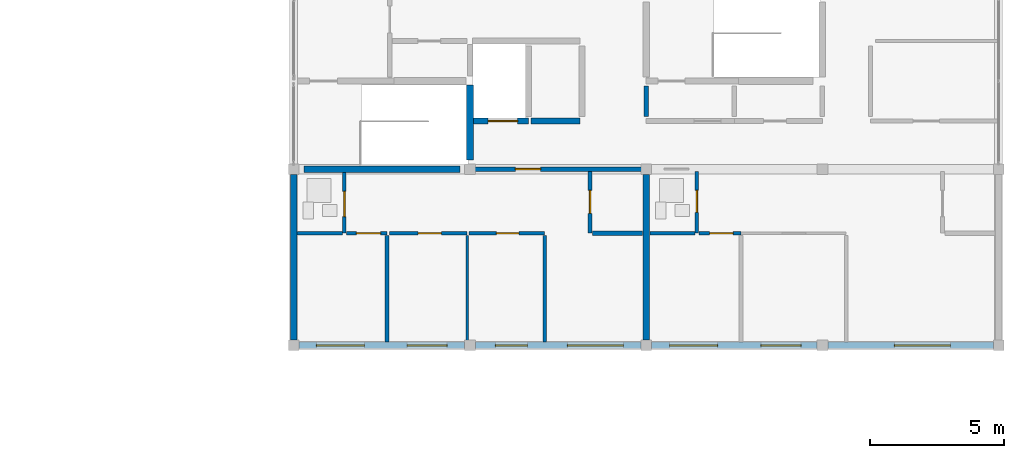
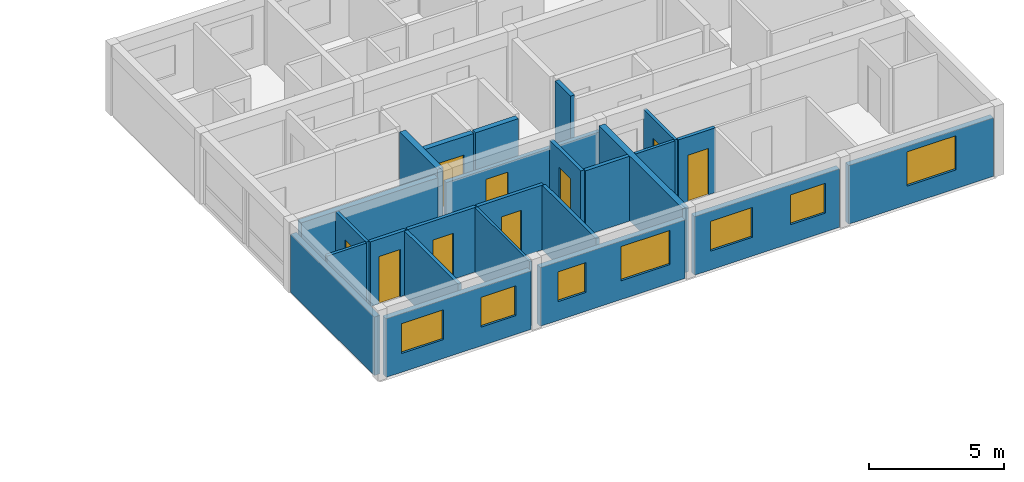
# One storey, part 16 of 23: 25 walls, 9 doors, 7 windows, 16 openings.
"""IFC4 building model written with IfcOpenShell, lengths in metres."""

from ifc_helpers import new_model, si_unit, direction, frame, frame_2d, origin, place, context, subcontext, project, spatial, rectangle, extrude, material, layer, layer_set, type_object, element, fill, save


model = new_model("IFC4")

# Units and contexts
model_context = context("Model", 3, precision=1e-05, world=origin(), true_north=direction((0.0, 1.0)))
body_context = subcontext(model_context, "Body", "Model", "MODEL_VIEW")
ifc_project = project(units=[si_unit("LENGTHUNIT", "METRE"), si_unit("AREAUNIT", "SQUARE_METRE"), si_unit("VOLUMEUNIT", "CUBIC_METRE"), si_unit("PLANEANGLEUNIT", "RADIAN"), si_unit("MASSUNIT", "GRAM", prefix="KILO")], contexts=[model_context])

# Site, building, storey
site_placement = place(None, origin())
site = spatial("IfcSite", under=ifc_project, at=site_placement, CompositionType="ELEMENT")
building_placement = place(site_placement, origin())
building = spatial("IfcBuilding", under=site, at=building_placement, Name="Kernevlak Ridge Housing Community", CompositionType="ELEMENT")
storey_placement = place(building_placement, frame((0.0, 0.0, 46.800048828125)))
storey = spatial("IfcBuildingStorey", under=building, at=storey_placement, Name="L14", CompositionType="ELEMENT", Elevation=46.800048828125)

# Wall, openings, windows
ifc_material_1 = material(Name="Concrete block masonry M10", Category="masonry")
ifc_layer_1 = layer(ifc_material_1, 0.239990234375, Name="Concrete block masonry M10")
ifc_layer_set_1 = layer_set([ifc_layer_1], Name="Concrete block masonry M10")
wall_type_1 = type_object("IfcWallType", Name="EW-06", PredefinedType="STANDARD", material=ifc_layer_set_1)
wall_1_placement = place(storey_placement, frame((119.60009765625, 82.60009765625, 0.0), z_axis=(0.0, 0.0, 1.0), x_axis=(1.0, 0.0, 0.0)))
wall_1 = element("IfcWall", 1, at=wall_1_placement, inside=storey, type_object=wall_type_1, Name="Exterior wall EW-06 L14 514", PredefinedType="STANDARD", context=body_context, shape_type="SweptSolid", body=[
    extrude(rectangle(XDim=6.199951171875, YDim=0.239990234375, at=frame_2d((3.10009765625, 0.0))), origin(), (0.0, 0.0, 1.0), 2.64990234375),
])
opening_1_placement = place(wall_1_placement, frame((0.64990234375, 0.0, 0.85009765625)))
opening_1 = element("IfcOpeningElement", 2, at=opening_1_placement, cuts=wall_1, Name="Opening WT-03", PredefinedType="OPENING", context=body_context, shape_type="SweptSolid", body=[
    extrude(rectangle(XDim=1.800048828125, YDim=1.35009765625, at=frame_2d((0.89990234375, 0.675048828125))), frame((0.0, 0.1298828125, 0.0), z_axis=(0.0, -1.0, 0.0), x_axis=(1.0, 0.0, 0.0)), (0.0, 0.0, 1.0), 0.260009765625),
])
opening_2_placement = place(wall_1_placement, frame((4.050048828125, 0.0, 0.85009765625)))
opening_2 = element("IfcOpeningElement", 3, at=opening_2_placement, cuts=wall_1, Name="Opening WT-02", PredefinedType="OPENING", context=body_context, shape_type="SweptSolid", body=[
    extrude(rectangle(XDim=1.5, YDim=1.35009765625, at=frame_2d((0.75, 0.675048828125))), frame((0.0, 0.1298828125, 0.0), z_axis=(0.0, -1.0, 0.0), x_axis=(1.0, 0.0, 0.0)), (0.0, 0.0, 1.0), 0.260009765625),
])
ifc_material_2 = material(Name="Aluminium EN AW-6060 anodised and laminated glass", Category="aluminium")
window_type_1 = type_object("IfcWindowType", Name="WT-02", PartitioningType="SINGLE_PANEL", PredefinedType="WINDOW", material=ifc_material_2)
window_1_placement = place(opening_2_placement, origin())
window_1 = element("IfcWindow", 4, at=window_1_placement, inside=storey, type_object=window_type_1, Name="Window WT-02 L14 402", OverallHeight=1.35009765625, OverallWidth=1.5, PartitioningType="SINGLE_PANEL", PredefinedType="WINDOW", context=body_context, shape_type="SweptSolid", body=[
    extrude(rectangle(XDim=1.5, YDim=1.35009765625, at=frame_2d((0.75, 0.675048828125))), frame((0.0, 0.030029296875, 0.0), z_axis=(0.0, -1.0, 0.0), x_axis=(1.0, 0.0, 0.0)), (0.0, 0.0, 1.0), 0.06005859375),
])
fill(opening_2, window_1)
window_type_2 = type_object("IfcWindowType", Name="WT-03", PartitioningType="SINGLE_PANEL", PredefinedType="WINDOW", material=ifc_material_2)
window_2_placement = place(opening_1_placement, origin())
window_2 = element("IfcWindow", 5, at=window_2_placement, inside=storey, type_object=window_type_2, Name="Window WT-03 L14 401", OverallHeight=1.35009765625, OverallWidth=1.800048828125, PartitioningType="SINGLE_PANEL", PredefinedType="WINDOW", context=body_context, shape_type="SweptSolid", body=[
    extrude(rectangle(XDim=1.800048828125, YDim=1.35009765625, at=frame_2d((0.89990234375, 0.675048828125))), frame((0.0, 0.030029296875, 0.0), z_axis=(0.0, -1.0, 0.0), x_axis=(1.0, 0.0, 0.0)), (0.0, 0.0, 1.0), 0.06005859375),
])
fill(opening_1, window_2)

wall_2_placement = place(storey_placement, frame((126.199951171875, 82.60009765625, 0.0), z_axis=(0.0, 0.0, 1.0), x_axis=(1.0, 0.0, 0.0)))
wall_2 = element("IfcWall", 6, at=wall_2_placement, inside=storey, type_object=wall_type_1, Name="Exterior wall EW-06 L14 515", PredefinedType="STANDARD", context=body_context, shape_type="SweptSolid", body=[
    extrude(rectangle(XDim=6.199951171875, YDim=0.239990234375, at=frame_2d((3.10009765625, 0.0))), origin(), (0.0, 0.0, 1.0), 2.64990234375),
])
opening_3_placement = place(wall_2_placement, frame((0.75, 0.0, 0.85009765625)))
opening_3 = element("IfcOpeningElement", 7, at=opening_3_placement, cuts=wall_2, Name="Opening WT-01", PredefinedType="OPENING", context=body_context, shape_type="SweptSolid", body=[
    extrude(rectangle(XDim=1.199951171875, YDim=1.35009765625, at=frame_2d((0.60009765625, 0.675048828125))), frame((0.0, 0.1298828125, 0.0), z_axis=(0.0, -1.0, 0.0), x_axis=(1.0, 0.0, 0.0)), (0.0, 0.0, 1.0), 0.260009765625),
])
opening_4_placement = place(wall_2_placement, frame((3.449951171875, 0.0, 0.85009765625)))
opening_4 = element("IfcOpeningElement", 8, at=opening_4_placement, cuts=wall_2, Name="Opening WT-05", PredefinedType="OPENING", context=body_context, shape_type="SweptSolid", body=[
    extrude(rectangle(XDim=2.10009765625, YDim=1.550048828125, at=frame_2d((1.050048828125, 0.77490234375))), frame((0.0, 0.1298828125, 0.0), z_axis=(0.0, -1.0, 0.0), x_axis=(1.0, 0.0, 0.0)), (0.0, 0.0, 1.0), 0.260009765625),
])
window_type_3 = type_object("IfcWindowType", Name="WT-01", PartitioningType="SINGLE_PANEL", PredefinedType="WINDOW", material=ifc_material_2)
window_3_placement = place(opening_3_placement, origin())
window_3 = element("IfcWindow", 9, at=window_3_placement, inside=storey, type_object=window_type_3, Name="Window WT-01 L14 403", OverallHeight=1.35009765625, OverallWidth=1.199951171875, PartitioningType="SINGLE_PANEL", PredefinedType="WINDOW", context=body_context, shape_type="SweptSolid", body=[
    extrude(rectangle(XDim=1.199951171875, YDim=1.35009765625, at=frame_2d((0.60009765625, 0.675048828125))), frame((0.0, 0.030029296875, 0.0), z_axis=(0.0, -1.0, 0.0), x_axis=(1.0, 0.0, 0.0)), (0.0, 0.0, 1.0), 0.06005859375),
])
fill(opening_3, window_3)
window_type_4 = type_object("IfcWindowType", Name="WT-05", PartitioningType="SINGLE_PANEL", PredefinedType="WINDOW", material=ifc_material_2)
window_4_placement = place(opening_4_placement, origin())
window_4 = element("IfcWindow", 10, at=window_4_placement, inside=storey, type_object=window_type_4, Name="Window WT-05 L14 404", OverallHeight=1.550048828125, OverallWidth=2.10009765625, PartitioningType="SINGLE_PANEL", PredefinedType="WINDOW", context=body_context, shape_type="SweptSolid", body=[
    extrude(rectangle(XDim=2.10009765625, YDim=1.550048828125, at=frame_2d((1.050048828125, 0.77490234375))), frame((0.0, 0.030029296875, 0.0), z_axis=(0.0, -1.0, 0.0), x_axis=(1.0, 0.0, 0.0)), (0.0, 0.0, 1.0), 0.06005859375),
])
fill(opening_4, window_4)

wall_3_placement = place(storey_placement, frame((132.800048828125, 82.60009765625, 0.0), z_axis=(0.0, 0.0, 1.0), x_axis=(1.0, 0.0, 0.0)))
wall_3 = element("IfcWall", 11, at=wall_3_placement, inside=storey, type_object=wall_type_1, Name="Exterior wall EW-06 L14 516", PredefinedType="STANDARD", context=body_context, shape_type="SweptSolid", body=[
    extrude(rectangle(XDim=6.199951171875, YDim=0.239990234375, at=frame_2d((3.10009765625, 0.0))), origin(), (0.0, 0.0, 1.0), 2.64990234375),
])
opening_5_placement = place(wall_3_placement, frame((0.675048828125, 0.0, 0.85009765625)))
opening_5 = element("IfcOpeningElement", 12, at=opening_5_placement, cuts=wall_3, Name="Opening WT-03", PredefinedType="OPENING", context=body_context, shape_type="SweptSolid", body=[
    extrude(rectangle(XDim=1.800048828125, YDim=1.35009765625, at=frame_2d((0.89990234375, 0.675048828125))), frame((0.0, 0.1298828125, 0.0), z_axis=(0.0, -1.0, 0.0), x_axis=(1.0, 0.0, 0.0)), (0.0, 0.0, 1.0), 0.260009765625),
])
opening_6_placement = place(wall_3_placement, frame((4.10009765625, 0.0, 0.85009765625)))
opening_6 = element("IfcOpeningElement", 13, at=opening_6_placement, cuts=wall_3, Name="Opening WT-02", PredefinedType="OPENING", context=body_context, shape_type="SweptSolid", body=[
    extrude(rectangle(XDim=1.5, YDim=1.35009765625, at=frame_2d((0.75, 0.675048828125))), frame((0.0, 0.1298828125, 0.0), z_axis=(0.0, -1.0, 0.0), x_axis=(1.0, 0.0, 0.0)), (0.0, 0.0, 1.0), 0.260009765625),
])
window_5_placement = place(opening_6_placement, origin())
window_5 = element("IfcWindow", 14, at=window_5_placement, inside=storey, type_object=window_type_1, Name="Window WT-02 L14 406", OverallHeight=1.35009765625, OverallWidth=1.5, PartitioningType="SINGLE_PANEL", PredefinedType="WINDOW", context=body_context, shape_type="SweptSolid", body=[
    extrude(rectangle(XDim=1.5, YDim=1.35009765625, at=frame_2d((0.75, 0.675048828125))), frame((0.0, 0.030029296875, 0.0), z_axis=(0.0, -1.0, 0.0), x_axis=(1.0, 0.0, 0.0)), (0.0, 0.0, 1.0), 0.06005859375),
])
fill(opening_6, window_5)
window_6_placement = place(opening_5_placement, origin())
window_6 = element("IfcWindow", 15, at=window_6_placement, inside=storey, type_object=window_type_2, Name="Window WT-03 L14 405", OverallHeight=1.35009765625, OverallWidth=1.800048828125, PartitioningType="SINGLE_PANEL", PredefinedType="WINDOW", context=body_context, shape_type="SweptSolid", body=[
    extrude(rectangle(XDim=1.800048828125, YDim=1.35009765625, at=frame_2d((0.89990234375, 0.675048828125))), frame((0.0, 0.030029296875, 0.0), z_axis=(0.0, -1.0, 0.0), x_axis=(1.0, 0.0, 0.0)), (0.0, 0.0, 1.0), 0.06005859375),
])
fill(opening_5, window_6)

# Wall, opening, window
wall_4_placement = place(storey_placement, frame((139.39990234375, 82.60009765625, 0.0), z_axis=(0.0, 0.0, 1.0), x_axis=(1.0, 0.0, 0.0)))
wall_4 = element("IfcWall", 16, at=wall_4_placement, inside=storey, type_object=wall_type_1, Name="Exterior wall EW-06 L14 517", PredefinedType="STANDARD", context=body_context, shape_type="SweptSolid", body=[
    extrude(rectangle(XDim=6.2001953125, YDim=0.239990234375, at=frame_2d((3.10009765625, 0.0))), origin(), (0.0, 0.0, 1.0), 2.64990234375),
])
opening_7_placement = place(wall_4_placement, frame((2.49609375, 0.0, 0.85009765625)))
opening_7 = element("IfcOpeningElement", 17, at=opening_7_placement, cuts=wall_4, Name="Opening WT-05", PredefinedType="OPENING", context=body_context, shape_type="SweptSolid", body=[
    extrude(rectangle(XDim=2.10009765625, YDim=1.550048828125, at=frame_2d((1.050048828125, 0.77490234375))), frame((0.0, 0.1298828125, 0.0), z_axis=(0.0, -1.0, 0.0), x_axis=(1.0, 0.0, 0.0)), (0.0, 0.0, 1.0), 0.260009765625),
])
window_7_placement = place(opening_7_placement, origin())
window_7 = element("IfcWindow", 18, at=window_7_placement, inside=storey, type_object=window_type_4, Name="Window WT-05 L14 407", OverallHeight=1.550048828125, OverallWidth=2.10009765625, PartitioningType="SINGLE_PANEL", PredefinedType="WINDOW", context=body_context, shape_type="SweptSolid", body=[
    extrude(rectangle(XDim=2.10009765625, YDim=1.550048828125, at=frame_2d((1.050048828125, 0.77490234375))), frame((0.0, 0.030029296875, 0.0), z_axis=(0.0, -1.0, 0.0), x_axis=(1.0, 0.0, 0.0)), (0.0, 0.0, 1.0), 0.06005859375),
])
fill(opening_7, window_7)

# Wall
wall_5_placement = place(storey_placement, frame((119.39990234375, 82.800048828125, 0.0), z_axis=(0.0, 0.0, 1.0), x_axis=(0.0, 1.0, 0.0)))
element("IfcWall", 19, at=wall_5_placement, inside=storey, type_object=wall_type_1, Name="Exterior wall EW-06 L14 524", PredefinedType="STANDARD", context=body_context, shape_type="SweptSolid", body=[
    extrude(rectangle(XDim=6.199951171875, YDim=0.239990234375, at=frame_2d((3.10009765625, 0.0))), origin(), (0.0, 0.0, 1.0), 2.64990234375),
])

# Wall, opening, door
ifc_material_3 = material(Name="Concrete C35/45", Category="concrete")
ifc_layer_2 = layer(ifc_material_3, 0.22509765625, Name="Concrete C35/45")
ifc_layer_set_2 = layer_set([ifc_layer_2], Name="Concrete C35/45")
wall_type_2 = type_object("IfcWallType", Name="PW-01", PredefinedType="STANDARD", material=ifc_layer_set_2)
wall_6_placement = place(storey_placement, frame((126.135009765625, 91.0, 0.0), z_axis=(0.0, 0.0, 1.0), x_axis=(1.0, 0.0, 0.0)))
wall_6 = element("IfcWall", 20, at=wall_6_placement, inside=storey, type_object=wall_type_2, Name="Interior wall PW-01 WAL-INT-L14-2023", PredefinedType="STANDARD", context=body_context, shape_type="SweptSolid", body=[
    extrude(rectangle(XDim=2.06494140625, YDim=0.22509765625, at=frame_2d((1.032470703125, 0.0))), origin(), (0.0, 0.0, 1.0), 2.929931640625),
])
opening_8_placement = place(wall_6_placement, frame((0.550048828125, 0.0, 0.0)))
opening_8 = element("IfcOpeningElement", 21, at=opening_8_placement, cuts=wall_6, Name="Opening LD53", PredefinedType="OPENING", context=body_context, shape_type="SweptSolid", body=[
    extrude(rectangle(XDim=1.10009765625, YDim=2.10009765625, at=frame_2d((0.550048828125, 1.050048828125))), frame((0.0, 0.12255859375, 0.0), z_axis=(0.0, -1.0, 0.0), x_axis=(1.0, 0.0, 0.0)), (0.0, 0.0, 1.0), 0.2451171875),
])
ifc_material_4 = material(Name="Stainless steel EN 1.4401", Category="steel")
door_type_1 = type_object("IfcDoorType", Name="DT-LD1", OperationType="DOUBLE_DOOR_SLIDING", PredefinedType="DOOR", material=ifc_material_4)
door_1_placement = place(opening_8_placement, origin())
door_1 = element("IfcDoor", 22, at=door_1_placement, inside=storey, type_object=door_type_1, Name="Lift LF-B1 landing door LD53", OperationType="DOUBLE_DOOR_SLIDING", OverallHeight=2.10009765625, OverallWidth=1.10009765625, PredefinedType="DOOR", context=body_context, shape_type="SweptSolid", body=[
    extrude(rectangle(XDim=1.10009765625, YDim=2.10009765625, at=frame_2d((0.550048828125, 1.050048828125))), frame((0.0, 0.02490234375, 0.0), z_axis=(0.0, -1.0, 0.0), x_axis=(1.0, 0.0, 0.0)), (0.0, 0.0, 1.0), 0.050048828125),
])
fill(opening_8, door_1)

# Walls
wall_7_placement = place(storey_placement, frame((128.280029296875, 91.0, 0.0), z_axis=(0.0, 0.0, 1.0), x_axis=(1.0, 0.0, 0.0)))
element("IfcWall", 23, at=wall_7_placement, inside=storey, type_object=wall_type_2, Name="Interior wall PW-01 WAL-INT-L14-2024", PredefinedType="STANDARD", context=body_context, shape_type="SweptSolid", body=[
    extrude(rectangle(XDim=1.840087890625, YDim=0.22509765625, at=frame_2d((0.919921875, 0.0))), origin(), (0.0, 0.0, 1.0), 2.929931640625),
])
ifc_layer_3 = layer(ifc_material_1, 0.175048828125, Name="Concrete block masonry M10")
ifc_layer_set_3 = layer_set([ifc_layer_3], Name="Concrete block masonry M10")
wall_type_3 = type_object("IfcWallType", Name="PW-02", PredefinedType="PARTITIONING", material=ifc_layer_set_3)
wall_8_placement = place(storey_placement, frame((132.60009765625, 91.179931640625, 0.0), z_axis=(0.0, 0.0, 1.0), x_axis=(0.0, 1.0, 0.0)))
element("IfcWall", 24, at=wall_8_placement, inside=storey, type_object=wall_type_3, Name="Interior wall PW-02 WAL-INT-L14-2032", PredefinedType="PARTITIONING", context=body_context, shape_type="SweptSolid", body=[
    extrude(rectangle(XDim=1.14013671875, YDim=0.175048828125, at=frame_2d((0.570068359375, 0.0))), origin(), (0.0, 0.0, 1.0), 2.929931640625),
])

# Wall, opening, door
wall_9_placement = place(storey_placement, frame((126.0, 89.199951171875, 0.0), z_axis=(0.0, 0.0, 1.0), x_axis=(1.0, 0.0, 0.0)))
wall_9 = element("IfcWall", 25, at=wall_9_placement, inside=storey, type_object=wall_type_3, Name="Interior wall PW-02 WAL-INT-L14-2038", PredefinedType="PARTITIONING", context=body_context, shape_type="SweptSolid", body=[
    extrude(rectangle(XDim=6.60009765625, YDim=0.175048828125, at=frame_2d((3.300048828125, 0.0))), origin(), (0.0, 0.0, 1.0), 2.550048828125),
])
opening_9_placement = place(wall_9_placement, frame((1.699951171875, 0.0, 0.0)))
opening_9 = element("IfcOpeningElement", 26, at=opening_9_placement, cuts=wall_9, Name="Opening E033", PredefinedType="OPENING", context=body_context, shape_type="SweptSolid", body=[
    extrude(rectangle(XDim=0.949951171875, YDim=2.10009765625, at=frame_2d((0.47509765625, 1.050048828125))), frame((0.0, 0.097412109375, 0.0), z_axis=(0.0, -1.0, 0.0), x_axis=(1.0, 0.0, 0.0)), (0.0, 0.0, 1.0), 0.195068359375),
])
ifc_material_5 = material(Name="Hardwood timber solid-core fire leaf", Category="wood")
door_type_2 = type_object("IfcDoorType", Name="DT-01", OperationType="NOTDEFINED", PredefinedType="DOOR", material=ifc_material_5)
door_2_placement = place(opening_9_placement, origin())
door_2 = element("IfcDoor", 27, at=door_2_placement, inside=storey, type_object=door_type_2, Name="Flat B1411 entrance fire door E033", OperationType="SINGLE_SWING_RIGHT", OverallHeight=2.10009765625, OverallWidth=0.949951171875, PredefinedType="DOOR", context=body_context, shape_type="SweptSolid", body=[
    extrude(rectangle(XDim=0.949951171875, YDim=2.10009765625, at=frame_2d((0.47509765625, 1.050048828125))), frame((0.0, 0.02490234375, 0.0), z_axis=(0.0, -1.0, 0.0), x_axis=(1.0, 0.0, 0.0)), (0.0, 0.0, 1.0), 0.050048828125),
])
fill(opening_9, door_2)

ifc_layer_4 = layer(ifc_material_1, 0.14501953125, Name="Concrete block masonry M10")
ifc_layer_set_4 = layer_set([ifc_layer_4], Name="Concrete block masonry M10")
wall_type_4 = type_object("IfcWallType", Name="PW-03", PredefinedType="PARTITIONING", material=ifc_layer_set_4)
wall_10_placement = place(storey_placement, frame((121.37255859375, 86.800048828125, 0.0), z_axis=(0.0, 0.0, 1.0), x_axis=(1.0, 0.0, 0.0)))
wall_10 = element("IfcWall", 28, at=wall_10_placement, inside=storey, type_object=wall_type_4, Name="Interior wall PW-03 WAL-INT-L14-2043", PredefinedType="PARTITIONING", context=body_context, shape_type="SweptSolid", body=[
    extrude(rectangle(XDim=1.52734375, YDim=0.14501953125, at=frame_2d((0.763671875, 0.0))), origin(), (0.0, 0.0, 1.0), 2.929931640625),
])
opening_10_placement = place(wall_10_placement, frame((0.375, 0.0, 0.0)))
opening_10 = element("IfcOpeningElement", 29, at=opening_10_placement, cuts=wall_10, Name="Opening E036", PredefinedType="OPENING", context=body_context, shape_type="SweptSolid", body=[
    extrude(rectangle(XDim=0.909912109375, YDim=2.139892578125, at=frame_2d((0.455078125, 1.06982421875))), frame((0.0, 0.08251953125, 0.0), z_axis=(0.0, -1.0, 0.0), x_axis=(1.0, 0.0, 0.0)), (0.0, 0.0, 1.0), 0.1650390625),
])
ifc_material_6 = material(Name="Hardwood timber leaf", Category="wood")
door_type_3 = type_object("IfcDoorType", Name="DT-31", OperationType="NOTDEFINED", PredefinedType="DOOR", material=ifc_material_6)
door_3_placement = place(opening_10_placement, origin())
door_3 = element("IfcDoor", 30, at=door_3_placement, inside=storey, type_object=door_type_3, Name="Flat B1411 bedroom door E036", OperationType="SINGLE_SWING_LEFT", OverallHeight=2.139892578125, OverallWidth=0.909912109375, PredefinedType="DOOR", context=body_context, shape_type="SweptSolid", body=[
    extrude(rectangle(XDim=0.909912109375, YDim=2.139892578125, at=frame_2d((0.455078125, 1.06982421875))), frame((0.0, 0.02490234375, 0.0), z_axis=(0.0, -1.0, 0.0), x_axis=(1.0, 0.0, 0.0)), (0.0, 0.0, 1.0), 0.050048828125),
])
fill(opening_10, door_3)

# Wall
wall_11_placement = place(storey_placement, frame((122.89990234375, 86.717529296875, 0.0), z_axis=(0.0, 0.0, 1.0), x_axis=(0.0, -1.0, 0.0)))
element("IfcWall", 31, at=wall_11_placement, inside=storey, type_object=wall_type_4, Name="Interior wall PW-03 WAL-INT-L14-2044", PredefinedType="PARTITIONING", context=body_context, shape_type="SweptSolid", body=[
    extrude(rectangle(XDim=3.987548828125, YDim=0.14501953125, at=frame_2d((1.99365234375, 0.0))), origin(), (0.0, 0.0, 1.0), 2.929931640625),
])

# Wall, opening, door
wall_12_placement = place(storey_placement, frame((122.982421875, 86.800048828125, 0.0), z_axis=(0.0, 0.0, 1.0), x_axis=(1.0, 0.0, 0.0)))
wall_12 = element("IfcWall", 32, at=wall_12_placement, inside=storey, type_object=wall_type_4, Name="Interior wall PW-03 WAL-INT-L14-2045", PredefinedType="PARTITIONING", context=body_context, shape_type="SweptSolid", body=[
    extrude(rectangle(XDim=2.91748046875, YDim=0.14501953125, at=frame_2d((1.458740234375, 0.0))), origin(), (0.0, 0.0, 1.0), 2.929931640625),
])
opening_11_placement = place(wall_12_placement, frame((1.074951171875, 0.0, 0.0)))
opening_11 = element("IfcOpeningElement", 33, at=opening_11_placement, cuts=wall_12, Name="Opening E037", PredefinedType="OPENING", context=body_context, shape_type="SweptSolid", body=[
    extrude(rectangle(XDim=0.8701171875, YDim=2.080078125, at=frame_2d((0.43505859375, 1.0400390625))), frame((0.0, 0.08251953125, 0.0), z_axis=(0.0, -1.0, 0.0), x_axis=(1.0, 0.0, 0.0)), (0.0, 0.0, 1.0), 0.1650390625),
])
door_type_4 = type_object("IfcDoorType", Name="DT-32", OperationType="NOTDEFINED", PredefinedType="DOOR", material=ifc_material_6)
door_4_placement = place(opening_11_placement, origin())
door_4 = element("IfcDoor", 34, at=door_4_placement, inside=storey, type_object=door_type_4, Name="Flat B1411 bedroom door E037", OperationType="SINGLE_SWING_RIGHT", OverallHeight=2.080078125, OverallWidth=0.8701171875, PredefinedType="DOOR", context=body_context, shape_type="SweptSolid", body=[
    extrude(rectangle(XDim=0.8701171875, YDim=2.080078125, at=frame_2d((0.43505859375, 1.0400390625))), frame((0.0, 0.02490234375, 0.0), z_axis=(0.0, -1.0, 0.0), x_axis=(1.0, 0.0, 0.0)), (0.0, 0.0, 1.0), 0.050048828125),
])
fill(opening_11, door_4)

wall_13_placement = place(storey_placement, frame((125.96240234375, 86.800048828125, 0.0), z_axis=(0.0, 0.0, 1.0), x_axis=(1.0, 0.0, 0.0)))
wall_13 = element("IfcWall", 35, at=wall_13_placement, inside=storey, type_object=wall_type_4, Name="Interior wall PW-03 WAL-INT-L14-2047", PredefinedType="PARTITIONING", context=body_context, shape_type="SweptSolid", body=[
    extrude(rectangle(XDim=2.837646484375, YDim=0.14501953125, at=frame_2d((1.4189453125, 0.0))), origin(), (0.0, 0.0, 1.0), 2.929931640625),
])
opening_12_placement = place(wall_13_placement, frame((1.02490234375, 0.0, 0.0)))
opening_12 = element("IfcOpeningElement", 36, at=opening_12_placement, cuts=wall_13, Name="Opening E038", PredefinedType="OPENING", context=body_context, shape_type="SweptSolid", body=[
    extrude(rectangle(XDim=0.85009765625, YDim=2.10009765625, at=frame_2d((0.425048828125, 1.050048828125))), frame((0.0, 0.08251953125, 0.0), z_axis=(0.0, -1.0, 0.0), x_axis=(1.0, 0.0, 0.0)), (0.0, 0.0, 1.0), 0.1650390625),
])
door_type_5 = type_object("IfcDoorType", Name="DT-03", OperationType="NOTDEFINED", PredefinedType="DOOR", material=ifc_material_6)
door_5_placement = place(opening_12_placement, origin())
door_5 = element("IfcDoor", 37, at=door_5_placement, inside=storey, type_object=door_type_5, Name="Flat B1411 bedroom door E038", OperationType="SINGLE_SWING_LEFT", OverallHeight=2.10009765625, OverallWidth=0.85009765625, PredefinedType="DOOR", context=body_context, shape_type="SweptSolid", body=[
    extrude(rectangle(XDim=0.85009765625, YDim=2.10009765625, at=frame_2d((0.425048828125, 1.050048828125))), frame((0.0, 0.02490234375, 0.0), z_axis=(0.0, -1.0, 0.0), x_axis=(1.0, 0.0, 0.0)), (0.0, 0.0, 1.0), 0.050048828125),
])
fill(opening_12, door_5)

# Wall
wall_14_placement = place(storey_placement, frame((128.800048828125, 86.717529296875, 0.0), z_axis=(0.0, 0.0, 1.0), x_axis=(0.0, -1.0, 0.0)))
element("IfcWall", 38, at=wall_14_placement, inside=storey, type_object=wall_type_4, Name="Interior wall PW-03 WAL-INT-L14-2048", PredefinedType="PARTITIONING", context=body_context, shape_type="SweptSolid", body=[
    extrude(rectangle(XDim=3.987548828125, YDim=0.14501953125, at=frame_2d((1.99365234375, 0.0))), origin(), (0.0, 0.0, 1.0), 2.929931640625),
])

# Wall, opening, door
wall_15_placement = place(storey_placement, frame((134.572509765625, 86.800048828125, 0.0), z_axis=(0.0, 0.0, 1.0), x_axis=(1.0, 0.0, 0.0)))
wall_15 = element("IfcWall", 39, at=wall_15_placement, inside=storey, type_object=wall_type_4, Name="Interior wall PW-03 WAL-INT-L14-2054", PredefinedType="PARTITIONING", context=body_context, shape_type="SweptSolid", body=[
    extrude(rectangle(XDim=1.577392578125, YDim=0.14501953125, at=frame_2d((0.78857421875, 0.0))), origin(), (0.0, 0.0, 1.0), 2.929931640625),
])
opening_13_placement = place(wall_15_placement, frame((0.39990234375, 0.0, 0.0)))
opening_13 = element("IfcOpeningElement", 40, at=opening_13_placement, cuts=wall_15, Name="Opening E042", PredefinedType="OPENING", context=body_context, shape_type="SweptSolid", body=[
    extrude(rectangle(XDim=0.8798828125, YDim=2.10009765625, at=frame_2d((0.43994140625, 1.050048828125))), frame((0.0, 0.08251953125, 0.0), z_axis=(0.0, -1.0, 0.0), x_axis=(1.0, 0.0, 0.0)), (0.0, 0.0, 1.0), 0.1650390625),
])
door_type_6 = type_object("IfcDoorType", Name="DT-25", OperationType="NOTDEFINED", PredefinedType="DOOR", material=ifc_material_6)
door_6_placement = place(opening_13_placement, origin())
door_6 = element("IfcDoor", 41, at=door_6_placement, inside=storey, type_object=door_type_6, Name="Flat B1412 bedroom door E042", OperationType="SINGLE_SWING_LEFT", OverallHeight=2.10009765625, OverallWidth=0.8798828125, PredefinedType="DOOR", context=body_context, shape_type="SweptSolid", body=[
    extrude(rectangle(XDim=0.8798828125, YDim=2.10009765625, at=frame_2d((0.43994140625, 1.050048828125))), frame((0.0, 0.02490234375, 0.0), z_axis=(0.0, -1.0, 0.0), x_axis=(1.0, 0.0, 0.0)), (0.0, 0.0, 1.0), 0.050048828125),
])
fill(opening_13, door_6)

ifc_material_7 = material(Name="Gypsum plasterboard EN 520", Category="gypsum")
ifc_layer_5 = layer(ifc_material_7, 0.125, Name="Gypsum plasterboard EN 520")
ifc_layer_set_5 = layer_set([ifc_layer_5], Name="Gypsum plasterboard EN 520")
wall_type_5 = type_object("IfcWallType", Name="PW-04", PredefinedType="PARTITIONING", material=ifc_layer_set_5)
wall_16_placement = place(storey_placement, frame((121.300048828125, 89.06494140625, 0.0), z_axis=(0.0, 0.0, 1.0), x_axis=(0.0, -1.0, 0.0)))
wall_16 = element("IfcWall", 42, at=wall_16_placement, inside=storey, type_object=wall_type_5, Name="Interior wall PW-04 WAL-INT-L14-2039", PredefinedType="PARTITIONING", context=body_context, shape_type="SweptSolid", body=[
    extrude(rectangle(XDim=2.264892578125, YDim=0.125, at=frame_2d((1.13232421875, 0.0))), origin(), (0.0, 0.0, 1.0), 2.929931640625),
])
opening_14_placement = place(wall_16_placement, frame((0.699951171875, 0.0, 0.0)))
opening_14 = element("IfcOpeningElement", 43, at=opening_14_placement, cuts=wall_16, Name="Opening E034", PredefinedType="OPENING", context=body_context, shape_type="SweptSolid", body=[
    extrude(rectangle(XDim=0.93994140625, YDim=2.080078125, at=frame_2d((0.469970703125, 1.0400390625))), frame((0.0, 0.072509765625, 0.0), z_axis=(0.0, -1.0, 0.0), x_axis=(1.0, 0.0, 0.0)), (0.0, 0.0, 1.0), 0.14501953125),
])
ifc_material_8 = material(Name="Hardwood timber moisture-resistant leaf", Category="wood")
door_type_7 = type_object("IfcDoorType", Name="DT-23", OperationType="NOTDEFINED", PredefinedType="DOOR", material=ifc_material_8)
door_7_placement = place(opening_14_placement, origin())
door_7 = element("IfcDoor", 44, at=door_7_placement, inside=storey, type_object=door_type_7, Name="Flat B1411 bathroom door E034", OperationType="SINGLE_SWING_LEFT", OverallHeight=2.080078125, OverallWidth=0.93994140625, PredefinedType="DOOR", context=body_context, shape_type="SweptSolid", body=[
    extrude(rectangle(XDim=0.93994140625, YDim=2.080078125, at=frame_2d((0.469970703125, 1.0400390625))), frame((0.0, 0.02490234375, 0.0), z_axis=(0.0, -1.0, 0.0), x_axis=(1.0, 0.0, 0.0)), (0.0, 0.0, 1.0), 0.050048828125),
])
fill(opening_14, door_7)

# Wall
wall_17_placement = place(storey_placement, frame((119.530029296875, 86.800048828125, 0.0), z_axis=(0.0, 0.0, 1.0), x_axis=(1.0, 0.0, 0.0)))
element("IfcWall", 45, at=wall_17_placement, inside=storey, type_object=wall_type_5, Name="Interior wall PW-04 WAL-INT-L14-2040", PredefinedType="PARTITIONING", context=body_context, shape_type="SweptSolid", body=[
    extrude(rectangle(XDim=1.68994140625, YDim=0.125, at=frame_2d((0.844970703125, 0.0))), origin(), (0.0, 0.0, 1.0), 2.929931640625),
])

# Wall, opening, door
wall_18_placement = place(storey_placement, frame((134.5, 89.1025390625, 0.0), z_axis=(0.0, 0.0, 1.0), x_axis=(0.0, -1.0, 0.0)))
wall_18 = element("IfcWall", 46, at=wall_18_placement, inside=storey, type_object=wall_type_5, Name="Interior wall PW-04 WAL-INT-L14-2050", PredefinedType="PARTITIONING", context=body_context, shape_type="SweptSolid", body=[
    extrude(rectangle(XDim=2.302490234375, YDim=0.125, at=frame_2d((1.1513671875, 0.0))), origin(), (0.0, 0.0, 1.0), 2.929931640625),
])
opening_15_placement = place(wall_18_placement, frame((0.699951171875, 0.0, 0.0)))
opening_15 = element("IfcOpeningElement", 47, at=opening_15_placement, cuts=wall_18, Name="Opening E040", PredefinedType="OPENING", context=body_context, shape_type="SweptSolid", body=[
    extrude(rectangle(XDim=0.820068359375, YDim=2.050048828125, at=frame_2d((0.41015625, 1.02490234375))), frame((0.0, 0.072509765625, 0.0), z_axis=(0.0, -1.0, 0.0), x_axis=(1.0, 0.0, 0.0)), (0.0, 0.0, 1.0), 0.14501953125),
])
door_type_8 = type_object("IfcDoorType", Name="DT-30", OperationType="NOTDEFINED", PredefinedType="DOOR", material=ifc_material_8)
door_8_placement = place(opening_15_placement, origin())
door_8 = element("IfcDoor", 48, at=door_8_placement, inside=storey, type_object=door_type_8, Name="Flat B1412 bathroom door E040", OperationType="SINGLE_SWING_LEFT", OverallHeight=2.050048828125, OverallWidth=0.820068359375, PredefinedType="DOOR", context=body_context, shape_type="SweptSolid", body=[
    extrude(rectangle(XDim=0.820068359375, YDim=2.050048828125, at=frame_2d((0.41015625, 1.02490234375))), frame((0.0, 0.02490234375, 0.0), z_axis=(0.0, -1.0, 0.0), x_axis=(1.0, 0.0, 0.0)), (0.0, 0.0, 1.0), 0.050048828125),
])
fill(opening_15, door_8)

# Wall
wall_19_placement = place(storey_placement, frame((132.735107421875, 86.800048828125, 0.0), z_axis=(0.0, 0.0, 1.0), x_axis=(1.0, 0.0, 0.0)))
element("IfcWall", 49, at=wall_19_placement, inside=storey, type_object=wall_type_5, Name="Interior wall PW-04 WAL-INT-L14-2051", PredefinedType="PARTITIONING", context=body_context, shape_type="SweptSolid", body=[
    extrude(rectangle(XDim=1.684814453125, YDim=0.125, at=frame_2d((0.84228515625, 0.0))), origin(), (0.0, 0.0, 1.0), 2.929931640625),
])

# Wall, opening, door
ifc_layer_6 = layer(ifc_material_7, 0.155029296875, Name="Gypsum plasterboard EN 520")
ifc_layer_set_6 = layer_set([ifc_layer_6], Name="Gypsum plasterboard EN 520")
wall_type_6 = type_object("IfcWallType", Name="PW-05", PredefinedType="PARTITIONING", material=ifc_layer_set_6)
wall_20_placement = place(storey_placement, frame((130.5, 89.1025390625, 0.0), z_axis=(0.0, 0.0, 1.0), x_axis=(0.0, -1.0, 0.0)))
wall_20 = element("IfcWall", 50, at=wall_20_placement, inside=storey, type_object=wall_type_6, Name="Interior wall PW-05 WAL-INT-L14-2041", PredefinedType="PARTITIONING", context=body_context, shape_type="SweptSolid", body=[
    extrude(rectangle(XDim=2.302490234375, YDim=0.155029296875, at=frame_2d((1.1513671875, 0.0))), origin(), (0.0, 0.0, 1.0), 2.929931640625),
])
opening_16_placement = place(wall_20_placement, frame((0.699951171875, 0.0, 0.0)))
opening_16 = element("IfcOpeningElement", 51, at=opening_16_placement, cuts=wall_20, Name="Opening E035", PredefinedType="OPENING", context=body_context, shape_type="SweptSolid", body=[
    extrude(rectangle(XDim=0.860107421875, YDim=2.1201171875, at=frame_2d((0.43017578125, 1.06005859375))), frame((0.0, 0.08740234375, 0.0), z_axis=(0.0, -1.0, 0.0), x_axis=(1.0, 0.0, 0.0)), (0.0, 0.0, 1.0), 0.175048828125),
])
door_type_9 = type_object("IfcDoorType", Name="DT-28", OperationType="NOTDEFINED", PredefinedType="DOOR", material=ifc_material_6)
door_9_placement = place(opening_16_placement, origin())
door_9 = element("IfcDoor", 52, at=door_9_placement, inside=storey, type_object=door_type_9, Name="Flat B1411 kitchen door E035", OperationType="SINGLE_SWING_RIGHT", OverallHeight=2.1201171875, OverallWidth=0.860107421875, PredefinedType="DOOR", context=body_context, shape_type="SweptSolid", body=[
    extrude(rectangle(XDim=0.860107421875, YDim=2.1201171875, at=frame_2d((0.43017578125, 1.06005859375))), frame((0.0, 0.02490234375, 0.0), z_axis=(0.0, -1.0, 0.0), x_axis=(1.0, 0.0, 0.0)), (0.0, 0.0, 1.0), 0.050048828125),
])
fill(opening_16, door_9)

# Walls
wall_21_placement = place(storey_placement, frame((130.58740234375, 86.800048828125, 0.0), z_axis=(0.0, 0.0, 1.0), x_axis=(1.0, 0.0, 0.0)))
element("IfcWall", 53, at=wall_21_placement, inside=storey, type_object=wall_type_6, Name="Interior wall PW-05 WAL-INT-L14-2042", PredefinedType="PARTITIONING", context=body_context, shape_type="SweptSolid", body=[
    extrude(rectangle(XDim=1.877685546875, YDim=0.155029296875, at=frame_2d((0.93896484375, 0.0))), origin(), (0.0, 0.0, 1.0), 2.929931640625),
])
ifc_layer_7 = layer(ifc_material_7, 0.10498046875, Name="Gypsum plasterboard EN 520")
ifc_layer_set_7 = layer_set([ifc_layer_7], Name="Gypsum plasterboard EN 520")
wall_type_7 = type_object("IfcWallType", Name="PW-06", PredefinedType="PARTITIONING", material=ifc_layer_set_7)
wall_22_placement = place(storey_placement, frame((125.89990234375, 86.717529296875, 0.0), z_axis=(0.0, 0.0, 1.0), x_axis=(0.0, -1.0, 0.0)))
element("IfcWall", 54, at=wall_22_placement, inside=storey, type_object=wall_type_7, Name="Interior wall PW-06 WAL-INT-L14-2046", PredefinedType="PARTITIONING", context=body_context, shape_type="SweptSolid", body=[
    extrude(rectangle(XDim=4.03759765625, YDim=0.10498046875, at=frame_2d((2.018798828125, 0.0))), origin(), (0.0, 0.0, 1.0), 2.929931640625),
])
ifc_material_9 = material(Name="Concrete C40/50", Category="concrete")
ifc_layer_8 = layer(ifc_material_9, 0.25, Name="Concrete C40/50")
ifc_layer_set_8 = layer_set([ifc_layer_8], Name="Concrete C40/50")
wall_type_8 = type_object("IfcWallType", Name="SW-03", PredefinedType="SHEAR", material=ifc_layer_set_8)
wall_23_placement = place(storey_placement, frame((119.780029296875, 89.199951171875, 0.0), z_axis=(0.0, 0.0, 1.0), x_axis=(1.0, 0.0, 0.0)))
element("IfcWall", 55, at=wall_23_placement, inside=storey, type_object=wall_type_8, Name="Shear wall SW-03 Block B L14 351", PredefinedType="SHEAR", context=body_context, shape_type="SweptSolid", body=[
    extrude(rectangle(XDim=5.840087890625, YDim=0.25, at=frame_2d((2.919921875, 0.0))), origin(), (0.0, 0.0, 1.0), 2.929931640625),
])
wall_24_placement = place(storey_placement, frame((126.0, 89.550048828125, 0.0), z_axis=(0.0, 0.0, 1.0), x_axis=(0.0, 1.0, 0.0)))
element("IfcWall", 56, at=wall_24_placement, inside=storey, type_object=wall_type_8, Name="Shear wall SW-03 Block B L14 353", PredefinedType="SHEAR", context=body_context, shape_type="SweptSolid", body=[
    extrude(rectangle(XDim=2.800048828125, YDim=0.25, at=frame_2d((1.39990234375, 0.0))), origin(), (0.0, 0.0, 1.0), 2.929931640625),
])
wall_25_placement = place(storey_placement, frame((132.60009765625, 82.800048828125, 0.0), z_axis=(0.0, 0.0, 1.0), x_axis=(0.0, 1.0, 0.0)))
element("IfcWall", 57, at=wall_25_placement, inside=storey, type_object=wall_type_8, Name="Shear wall SW-03 Block B L14 358", PredefinedType="SHEAR", context=body_context, shape_type="SweptSolid", body=[
    extrude(rectangle(XDim=6.199951171875, YDim=0.25, at=frame_2d((3.10009765625, 0.0))), origin(), (0.0, 0.0, 1.0), 2.929931640625),
])

save(model, "model.ifc")
